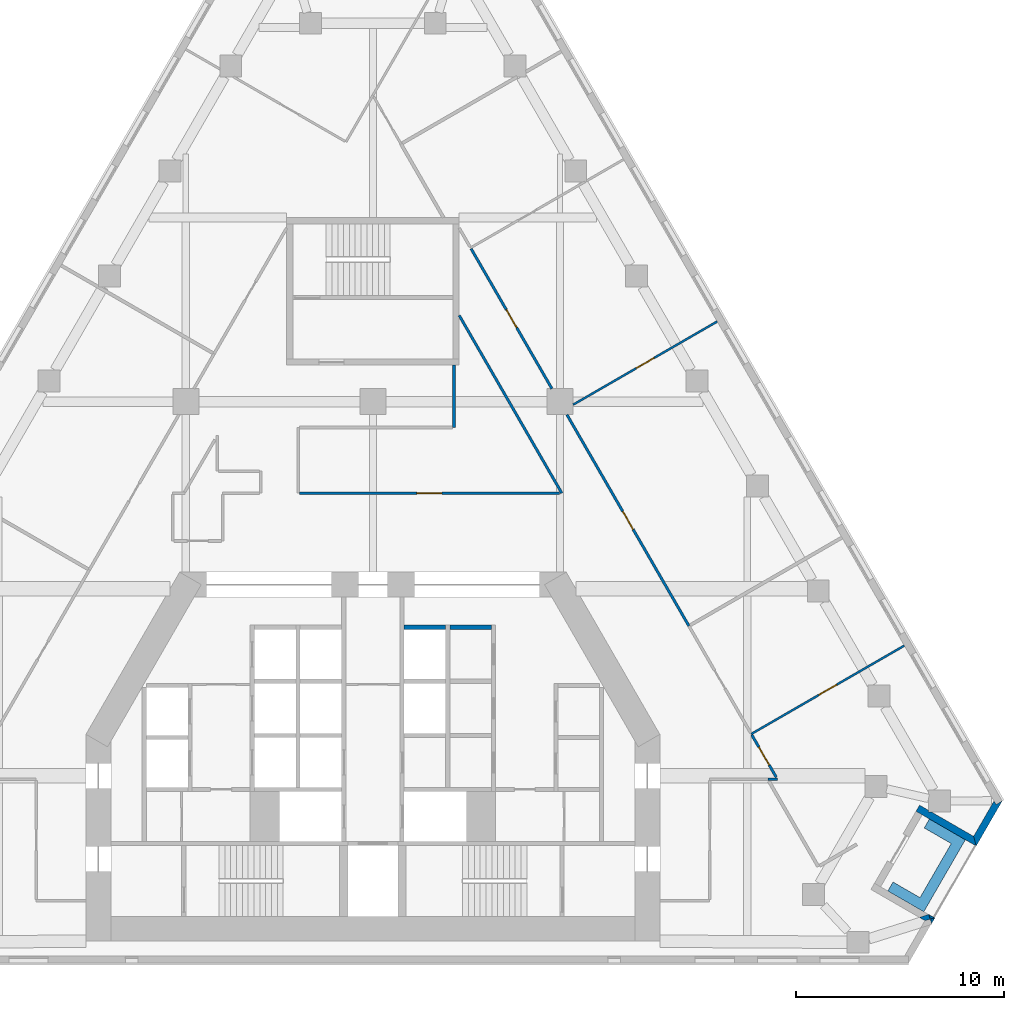
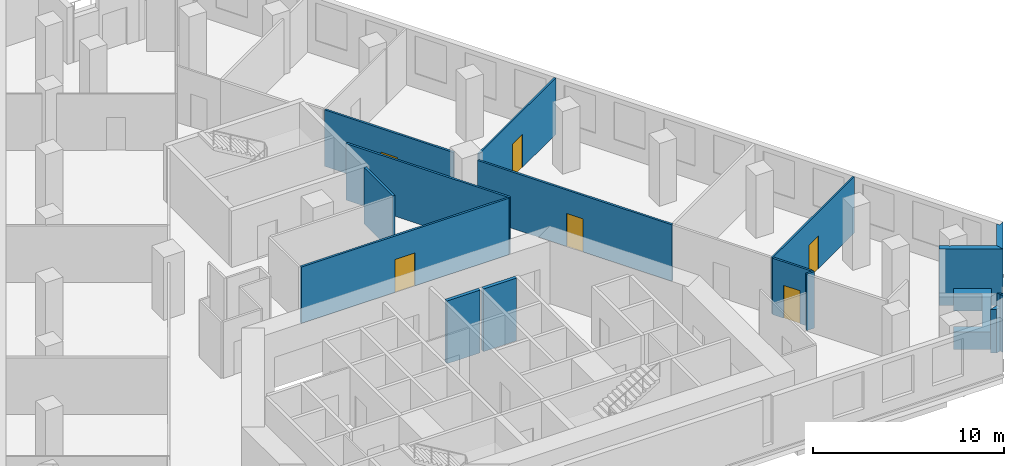
# One storey, part 7 of 10: 17 walls, 6 doors, 6 openings.
"""IFC4 building model written with IfcOpenShell, lengths in metres."""

from ifc_helpers import new_model, si_unit, direction, frame, frame_2d, origin, place, context, subcontext, project, spatial, polyline, rectangle, outline, extrude, material, layer, layer_set, type_object, element, fill, save


model = new_model("IFC4")

# Units and contexts
model_context = context("Model", 3, precision=1e-05, world=origin(), true_north=direction((0.0, 1.0)))
body_context = subcontext(model_context, "Body", "Model", "MODEL_VIEW")
ifc_project = project(units=[si_unit("LENGTHUNIT", "METRE"), si_unit("AREAUNIT", "SQUARE_METRE"), si_unit("VOLUMEUNIT", "CUBIC_METRE"), si_unit("PLANEANGLEUNIT", "RADIAN"), si_unit("MASSUNIT", "GRAM", prefix="KILO")], contexts=[model_context])

# Site, building, storey
site_placement = place(None, origin())
site = spatial("IfcSite", under=ifc_project, at=site_placement, CompositionType="ELEMENT")
building_placement = place(site_placement, origin())
building = spatial("IfcBuilding", under=site, at=building_placement, Name="Fogline Exchange Tower", CompositionType="ELEMENT")
storey_placement = place(building_placement, frame((0.0, 0.0, 112.10009765625)))
storey = spatial("IfcBuildingStorey", under=building, at=storey_placement, Name="L24", CompositionType="ELEMENT", Elevation=112.10009765625)

# Walls
ifc_material_1 = material(Name="Concrete C40", Category="concrete")
ifc_layer_1 = layer(ifc_material_1, 0.199951171875)
ifc_layer_set_1 = layer_set([ifc_layer_1], Name="CW20S")
wall_type_1 = type_object("IfcWallType", Name="CW20S", PredefinedType="SOLIDWALL", material=ifc_layer_set_1)
for number, where, z_axis, x_axis, name in (
    (1, (3.699951171875, 16.14990234375, -0.400146484375), (0.0, 0.0, 1.0), (1.0, 0.0, 0.0), "Lift shaft wall"),
    (2, (1.5, 16.14990234375, -0.400146484375), (0.0, 0.0, 1.0), (1.0, 0.0, 0.0), "Lift shaft wall"),
):
    element("IfcWall", number, at=place(storey_placement, frame(where, z_axis=z_axis, x_axis=x_axis)), inside=storey, type_object=wall_type_1, Name=name, PredefinedType="SOLIDWALL", context=body_context, shape_type="SweptSolid", body=[
        extrude(rectangle(XDim=2.0, YDim=0.199951171875, at=frame_2d((1.0, 0.0))), origin(), (0.0, 0.0, 1.0), 4.0),
    ])
ifc_material_2 = material(Name="Brick masonry", Category="masonry")
ifc_layer_2 = layer(ifc_material_2, 0.340087890625)
ifc_layer_set_2 = layer_set([ifc_layer_2], Name="FW1")
wall_type_2 = type_object("IfcWallType", Name="FW1", PredefinedType="SOLIDWALL", material=ifc_layer_set_2)
wall_1_placement = place(storey_placement, origin())
element("IfcWall", 3, at=wall_1_placement, inside=storey, type_object=wall_type_2, Name="Brick wall L24 SE-c1", PredefinedType="SOLIDWALL", context=body_context, shape_type="SweptSolid", body=[
    extrude(outline(polyline([(26.8740234375, 1.91845703125), (26.81298828125, 2.111328125), (27.0166015625, 2.166015625), (27.0166015625, 2.165771484375), (26.8740234375, 1.91845703125)])), origin(), (0.0, 0.0, 1.0), 3.599853515625),
])
wall_2_placement = place(storey_placement, origin())
element("IfcWall", 4, at=wall_2_placement, inside=storey, type_object=wall_type_2, Name="Brick wall L24 SE-s1", PredefinedType="SOLIDWALL", context=body_context, shape_type="SweptSolid", body=[
    extrude(outline(polyline([(26.746826171875, 2.321044921875), (26.8134765625, 2.1103515625), (26.551025390625, 2.0400390625), (26.281005859375, 2.196044921875), (26.721923828125, 2.33544921875), (26.746826171875, 2.321044921875)])), origin(), (0.0, 0.0, 1.0), 2.7998046875),
])
wall_3_placement = place(storey_placement, origin())
element("IfcWall", 5, at=wall_3_placement, inside=storey, type_object=wall_type_2, Name="Brick wall L24 SE-s1", PredefinedType="SOLIDWALL", context=body_context, shape_type="SweptSolid", body=[
    extrude(outline(polyline([(27.016845703125, 2.1650390625), (27.016845703125, 2.164794921875), (26.8134765625, 2.1103515625), (26.746826171875, 2.321044921875), (27.016845703125, 2.1650390625)])), origin(), (0.0, 0.0, 1.0), 3.599853515625),
])
wall_4_placement = place(storey_placement, origin())
element("IfcWall", 6, at=wall_4_placement, inside=storey, type_object=wall_type_2, Name="Brick wall L24 SE-s2", PredefinedType="SOLIDWALL", context=body_context, shape_type="SweptSolid", body=[
    extrude(outline(polyline([(29.016357421875, 5.628173828125), (26.417236328125, 7.128662109375), (26.122314453125, 7.298828125), (26.29296875, 7.594482421875), (26.72412109375, 7.345458984375), (26.72412109375, 7.269287109375), (26.856201171875, 7.269287109375), (28.8916015625, 6.093994140625), (29.0166015625, 5.62841796875), (29.016357421875, 5.628173828125)])), origin(), (0.0, 0.0, 1.0), 3.599853515625),
])
wall_5_placement = place(storey_placement, origin())
element("IfcWall", 7, at=wall_5_placement, inside=storey, type_object=wall_type_2, Name="Brick wall L24 SE-c2", PredefinedType="SOLIDWALL", context=body_context, shape_type="SweptSolid", body=[
    extrude(outline(polyline([(29.873046875, 7.79541015625), (29.971435546875, 7.625), (30.266357421875, 7.79541015625), (30.2666015625, 7.794921875), (29.015625, 5.6279296875), (29.015380859375, 5.6279296875), (28.890625, 6.09375), (29.873046875, 7.79541015625)])), origin(), (0.0, 0.0, 1.0), 3.599853515625),
])
ifc_material_3 = material(Name="Concrete C30", Category="concrete")
ifc_layer_3 = layer(ifc_material_3, 0.199951171875)
ifc_layer_set_3 = layer_set([ifc_layer_3], Name="PL1")
wall_type_3 = type_object("IfcWallType", Name="PL1", PredefinedType="USERDEFINED", material=ifc_layer_set_3)
wall_6_placement = place(storey_placement, origin())
element("IfcWall", 8, at=wall_6_placement, inside=storey, type_object=wall_type_3, Name="PLANTER balcony L24 SE", ObjectType="PLANTER", PredefinedType="USERDEFINED", context=body_context, shape_type="SweptSolid", body=[
    extrude(outline(polyline([(24.763916015625, 3.465087890625), (26.06298828125, 2.715087890625), (26.06298828125, 2.715087890625), (26.49609375, 2.465087890625), (28.49609375, 5.92919921875), (26.763916015625, 6.92919921875), (26.513916015625, 6.49609375), (27.81298828125, 5.74609375), (26.31298828125, 3.148193359375), (25.013916015625, 3.898193359375), (24.763916015625, 3.465087890625)])), origin(), (0.0, 0.0, 1.0), 1.099853515625),
])

# Wall, opening, door
ifc_material_4 = material(Name="Plasterboard partition, 2 layers each side on steel studs", Category="steel")
ifc_layer_4 = layer(ifc_material_4, 0.10009765625)
ifc_layer_set_4 = layer_set([ifc_layer_4], Name="PW1")
wall_type_4 = type_object("IfcWallType", Name="PW1", PredefinedType="PARTITIONING", material=ifc_layer_set_4)
wall_7_placement = place(storey_placement, frame((9.625, 26.8525390625, 0.0), z_axis=(0.0, 0.0, 1.0), x_axis=(0.866022071626, 0.500005771424, 0.0)))
wall_7 = element("IfcWall", 9, at=wall_7_placement, inside=storey, type_object=wall_type_4, Name="wall-L24-W033", PredefinedType="PARTITIONING", context=body_context, shape_type="SweptSolid", body=[
    extrude(rectangle(XDim=8.00634765625, YDim=0.10009765625, at=frame_2d((4.003173828125, 0.0))), origin(), (0.0, 0.0, 1.0), 3.599853515625),
])
opening_1_placement = place(wall_7_placement, frame((3.503173828125, 0.0, 0.0)))
opening_1 = element("IfcOpeningElement", 10, at=opening_1_placement, cuts=wall_7, Name="Opening T07-D013", PredefinedType="OPENING", context=body_context, shape_type="SweptSolid", body=[
    extrude(rectangle(XDim=1.0, YDim=2.10009765625, at=frame_2d((0.5, 1.050048828125))), frame((0.0, 0.06005859375, 0.0), z_axis=(0.0, -1.0, 0.0), x_axis=(1.0, 0.0, 0.0)), (0.0, 0.0, 1.0), 0.1201171875),
])
ifc_material_5 = material(Name="Timber door leaf with steel frame", Category="steel")
door_type_1 = type_object("IfcDoorType", Name="D1", OperationType="SINGLE_SWING_LEFT", PredefinedType="DOOR", material=ifc_material_5)
door_1_placement = place(opening_1_placement, origin())
door_1 = element("IfcDoor", 11, at=door_1_placement, inside=storey, type_object=door_type_1, Name="door-L24-D013", OperationType="SINGLE_SWING_RIGHT", OverallHeight=2.10009765625, OverallWidth=1.0, PredefinedType="DOOR", context=body_context, shape_type="SweptSolid", body=[
    extrude(rectangle(XDim=1.0, YDim=2.10009765625, at=frame_2d((0.5, 1.050048828125))), frame((0.0, 0.02490234375, 0.0), z_axis=(0.0, -1.0, 0.0), x_axis=(1.0, 0.0, 0.0)), (0.0, 0.0, 1.0), 0.050048828125),
])
fill(opening_1, door_1)

wall_8_placement = place(storey_placement, frame((18.197265625, 11.01708984375, 0.0), z_axis=(0.0, 0.0, 1.0), x_axis=(0.866028703517, 0.499994284652, 0.0)))
wall_8 = element("IfcWall", 12, at=wall_8_placement, inside=storey, type_object=wall_type_4, Name="wall-L24-W053", PredefinedType="PARTITIONING", context=body_context, shape_type="SweptSolid", body=[
    extrude(rectangle(XDim=8.5, YDim=0.10009765625, at=frame_2d((4.25, 0.0))), origin(), (0.0, 0.0, 1.0), 3.599853515625),
])
opening_2_placement = place(wall_8_placement, frame((3.75, 0.0, 0.0)))
opening_2 = element("IfcOpeningElement", 13, at=opening_2_placement, cuts=wall_8, Name="Opening T07-D019", PredefinedType="OPENING", context=body_context, shape_type="SweptSolid", body=[
    extrude(rectangle(XDim=1.0, YDim=2.10009765625, at=frame_2d((0.5, 1.050048828125))), frame((0.0, 0.06005859375, 0.0), z_axis=(0.0, -1.0, 0.0), x_axis=(1.0, 0.0, 0.0)), (0.0, 0.0, 1.0), 0.1201171875),
])
door_2_placement = place(opening_2_placement, origin())
door_2 = element("IfcDoor", 14, at=door_2_placement, inside=storey, type_object=door_type_1, Name="door-L24-D019", OperationType="SINGLE_SWING_LEFT", OverallHeight=2.10009765625, OverallWidth=1.0, PredefinedType="DOOR", context=body_context, shape_type="SweptSolid", body=[
    extrude(rectangle(XDim=1.0, YDim=2.10009765625, at=frame_2d((0.5, 1.050048828125))), frame((0.0, 0.02490234375, 0.0), z_axis=(0.0, -1.0, 0.0), x_axis=(1.0, 0.0, 0.0)), (0.0, 0.0, 1.0), 0.050048828125),
])
fill(opening_2, door_2)

ifc_material_6 = material(Name="Plasterboard corridor partition with mineral wool, 2 layers each side")
ifc_layer_5 = layer(ifc_material_6, 0.125)
ifc_layer_set_5 = layer_set([ifc_layer_5], Name="PW2")
wall_type_5 = type_object("IfcWallType", Name="PW2", PredefinedType="PARTITIONING", material=ifc_layer_set_5)
wall_9_placement = place(storey_placement, frame((-3.53759765625, 22.60009765625, 0.0), z_axis=(0.0, 0.0, 1.0), x_axis=(1.0, 0.0, 0.0)))
wall_9 = element("IfcWall", 15, at=wall_9_placement, inside=storey, type_object=wall_type_5, Name="wall-L24-W003", PredefinedType="PARTITIONING", context=body_context, shape_type="SweptSolid", body=[
    extrude(rectangle(XDim=12.513916015625, YDim=0.125, at=frame_2d((6.2568359375, 0.0))), origin(), (0.0, 0.0, 1.0), 3.599853515625),
])
opening_3_placement = place(wall_9_placement, frame((5.656982421875, 0.0, 0.0)))
opening_3 = element("IfcOpeningElement", 16, at=opening_3_placement, cuts=wall_9, Name="Opening T07-D002", PredefinedType="OPENING", context=body_context, shape_type="SweptSolid", body=[
    extrude(rectangle(XDim=1.199951171875, YDim=2.10009765625, at=frame_2d((0.60009765625, 1.050048828125))), frame((0.0, 0.072509765625, 0.0), z_axis=(0.0, -1.0, 0.0), x_axis=(1.0, 0.0, 0.0)), (0.0, 0.0, 1.0), 0.14501953125),
])
ifc_material_7 = material(Name="Fire-rated glazed door leaf with steel frame", Category="steel")
door_type_2 = type_object("IfcDoorType", Name="D5", OperationType="SINGLE_SWING_LEFT", PredefinedType="DOOR", material=ifc_material_7)
door_3_placement = place(opening_3_placement, origin())
door_3 = element("IfcDoor", 17, at=door_3_placement, inside=storey, type_object=door_type_2, Name="door-L24-D002", OperationType="SINGLE_SWING_RIGHT", OverallHeight=2.10009765625, OverallWidth=1.199951171875, PredefinedType="DOOR", context=body_context, shape_type="SweptSolid", body=[
    extrude(rectangle(XDim=1.199951171875, YDim=2.10009765625, at=frame_2d((0.60009765625, 1.050048828125))), frame((0.0, 0.02490234375, 0.0), z_axis=(0.0, -1.0, 0.0), x_axis=(1.0, 0.0, 0.0)), (0.0, 0.0, 1.0), 0.050048828125),
])
fill(opening_3, door_3)

wall_10_placement = place(storey_placement, frame((9.330322265625, 26.375, 0.0), z_axis=(0.0, 0.0, 1.0), x_axis=(0.50000822536, -0.866020654818, 0.0)))
wall_10 = element("IfcWall", 18, at=wall_10_placement, inside=storey, type_object=wall_type_5, Name="wall-L24-W021", PredefinedType="PARTITIONING", context=body_context, shape_type="SweptSolid", body=[
    extrude(rectangle(XDim=11.733642578125, YDim=0.125, at=frame_2d((5.86669921875, 0.0))), origin(), (0.0, 0.0, 1.0), 3.599853515625),
])
opening_4_placement = place(wall_10_placement, frame((5.366943359375, 0.0, 0.0)))
opening_4 = element("IfcOpeningElement", 19, at=opening_4_placement, cuts=wall_10, Name="Opening T07-D009", PredefinedType="OPENING", context=body_context, shape_type="SweptSolid", body=[
    extrude(rectangle(XDim=1.0, YDim=2.10009765625, at=frame_2d((0.5, 1.050048828125))), frame((0.0, 0.072509765625, 0.0), z_axis=(0.0, -1.0, 0.0), x_axis=(1.0, 0.0, 0.0)), (0.0, 0.0, 1.0), 0.14501953125),
])
ifc_material_8 = material(Name="Fire-rated timber door leaf with steel frame", Category="steel")
door_type_3 = type_object("IfcDoorType", Name="D3", OperationType="SINGLE_SWING_LEFT", PredefinedType="DOOR", material=ifc_material_8)
door_4_placement = place(opening_4_placement, origin())
door_4 = element("IfcDoor", 20, at=door_4_placement, inside=storey, type_object=door_type_3, Name="door-L24-D009", OperationType="SINGLE_SWING_LEFT", OverallHeight=2.10009765625, OverallWidth=1.0, PredefinedType="DOOR", context=body_context, shape_type="SweptSolid", body=[
    extrude(rectangle(XDim=1.0, YDim=2.10009765625, at=frame_2d((0.5, 1.050048828125))), frame((0.0, 0.02490234375, 0.0), z_axis=(0.0, -1.0, 0.0), x_axis=(1.0, 0.0, 0.0)), (0.0, 0.0, 1.0), 0.050048828125),
])
fill(opening_4, door_4)

wall_11_placement = place(storey_placement, frame((4.722412109375, 34.356201171875, 0.0), z_axis=(0.0, 0.0, 1.0), x_axis=(0.500020630024, -0.866013492707, 0.0)))
wall_11 = element("IfcWall", 21, at=wall_11_placement, inside=storey, type_object=wall_type_5, Name="wall-L24-W022", PredefinedType="PARTITIONING", context=body_context, shape_type="SweptSolid", body=[
    extrude(rectangle(XDim=7.772705078125, YDim=0.125, at=frame_2d((3.88623046875, 0.0))), origin(), (0.0, 0.0, 1.0), 3.599853515625),
])
opening_5_placement = place(wall_11_placement, frame((3.38623046875, 0.0, 0.0)))
opening_5 = element("IfcOpeningElement", 22, at=opening_5_placement, cuts=wall_11, Name="Opening T07-D010", PredefinedType="OPENING", context=body_context, shape_type="SweptSolid", body=[
    extrude(rectangle(XDim=1.0, YDim=2.10009765625, at=frame_2d((0.5, 1.050048828125))), frame((0.0, 0.072509765625, 0.0), z_axis=(0.0, -1.0, 0.0), x_axis=(1.0, 0.0, 0.0)), (0.0, 0.0, 1.0), 0.14501953125),
])
door_5_placement = place(opening_5_placement, origin())
door_5 = element("IfcDoor", 23, at=door_5_placement, inside=storey, type_object=door_type_3, Name="door-L24-D010", OperationType="SINGLE_SWING_LEFT", OverallHeight=2.10009765625, OverallWidth=1.0, PredefinedType="DOOR", context=body_context, shape_type="SweptSolid", body=[
    extrude(rectangle(XDim=1.0, YDim=2.10009765625, at=frame_2d((0.5, 1.050048828125))), frame((0.0, 0.02490234375, 0.0), z_axis=(0.0, -1.0, 0.0), x_axis=(1.0, 0.0, 0.0)), (0.0, 0.0, 1.0), 0.050048828125),
])
fill(opening_5, door_5)

# Wall
wall_12_placement = place(storey_placement, frame((9.085205078125, 22.60009765625, 0.0), z_axis=(0.0, 0.0, 1.0), x_axis=(-0.500015070409, 0.866016702705, 0.0)))
element("IfcWall", 24, at=wall_12_placement, inside=storey, type_object=wall_type_5, Name="wall-L24-W023", PredefinedType="PARTITIONING", context=body_context, shape_type="SweptSolid", body=[
    extrude(rectangle(XDim=9.870361328125, YDim=0.125, at=frame_2d((4.93505859375, 0.0))), origin(), (0.0, 0.0, 1.0), 3.599853515625),
])

# Wall, opening, door
wall_13_placement = place(storey_placement, frame((18.222412109375, 10.973388671875, 0.0), z_axis=(0.0, 0.0, 1.0), x_axis=(0.500030573929, -0.866007751199, 0.0)))
wall_13 = element("IfcWall", 25, at=wall_13_placement, inside=storey, type_object=wall_type_5, Name="wall-L24-W026", PredefinedType="PARTITIONING", context=body_context, shape_type="SweptSolid", body=[
    extrude(rectangle(XDim=2.354736328125, YDim=0.125, at=frame_2d((1.17724609375, 0.0))), origin(), (0.0, 0.0, 1.0), 3.599853515625),
])
opening_6_placement = place(wall_13_placement, frame((0.677490234375, 0.0, 0.0)))
opening_6 = element("IfcOpeningElement", 26, at=opening_6_placement, cuts=wall_13, Name="Opening T07-D011", PredefinedType="OPENING", context=body_context, shape_type="SweptSolid", body=[
    extrude(rectangle(XDim=1.0, YDim=2.10009765625, at=frame_2d((0.5, 1.050048828125))), frame((0.0, 0.072509765625, 0.0), z_axis=(0.0, -1.0, 0.0), x_axis=(1.0, 0.0, 0.0)), (0.0, 0.0, 1.0), 0.14501953125),
])
door_6_placement = place(opening_6_placement, origin())
door_6 = element("IfcDoor", 27, at=door_6_placement, inside=storey, type_object=door_type_3, Name="door-L24-D011", OperationType="SINGLE_SWING_RIGHT", OverallHeight=2.10009765625, OverallWidth=1.0, PredefinedType="DOOR", context=body_context, shape_type="SweptSolid", body=[
    extrude(rectangle(XDim=1.0, YDim=2.10009765625, at=frame_2d((0.5, 1.050048828125))), frame((0.0, 0.02490234375, 0.0), z_axis=(0.0, -1.0, 0.0), x_axis=(1.0, 0.0, 0.0)), (0.0, 0.0, 1.0), 0.050048828125),
])
fill(opening_6, door_6)

# Walls
wall_14_placement = place(storey_placement, frame((19.454345703125, 8.840087890625, 0.0), z_axis=(0.0, 0.0, 1.0), x_axis=(-1.0, 0.0, 0.0)))
element("IfcWall", 28, at=wall_14_placement, inside=storey, type_object=wall_type_5, Name="wall-L24-W027", PredefinedType="PARTITIONING", context=body_context, shape_type="SweptSolid", body=[
    extrude(rectangle(XDim=0.4619140625, YDim=0.125, at=frame_2d((0.23095703125, 0.0))), origin(), (0.0, 0.0, 1.0), 3.599853515625),
])
ifc_material_9 = material(Name="Plasterboard stair lobby partition, 3 layers each side on steel studs", Category="steel")
ifc_layer_6 = layer(ifc_material_9, 0.14990234375)
ifc_layer_set_6 = layer_set([ifc_layer_6], Name="PW4")
wall_type_6 = type_object("IfcWallType", Name="PW4", PredefinedType="PARTITIONING", material=ifc_layer_set_6)
wall_15_placement = place(storey_placement, frame((3.89990234375, 28.757080078125, 0.0), z_axis=(0.0, 0.0, 1.0), x_axis=(0.0, -1.0, 0.0)))
element("IfcWall", 29, at=wall_15_placement, inside=storey, type_object=wall_type_6, Name="wall-L24-W019", PredefinedType="PARTITIONING", context=body_context, shape_type="SweptSolid", body=[
    extrude(rectangle(XDim=3.0, YDim=0.14990234375, at=frame_2d((1.5, 0.0))), origin(), (0.0, 0.0, 1.0), 3.599853515625),
])

save(model, "model.ifc")
